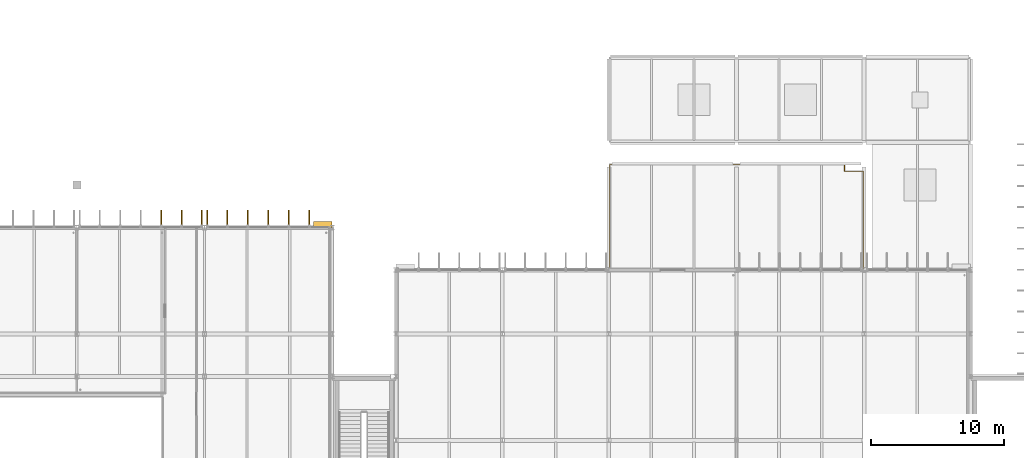
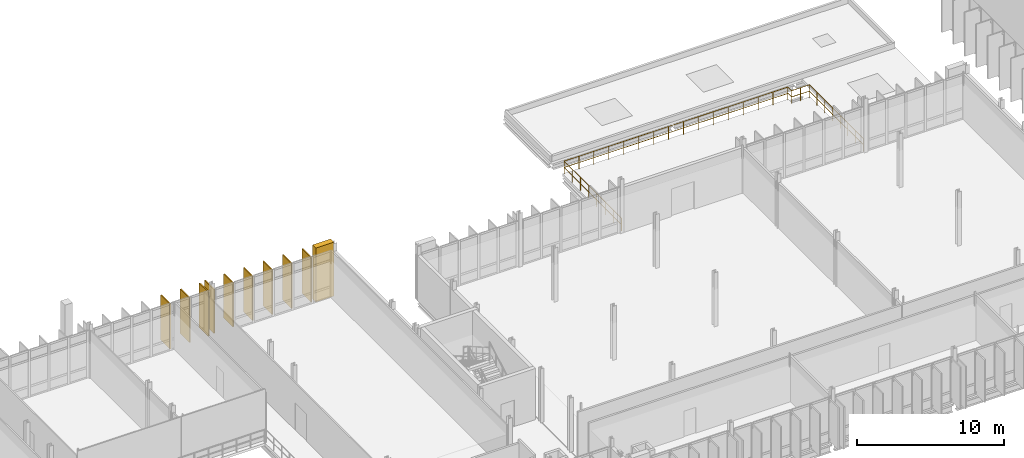
# One storey, part 107 of 110: 10 coverings, 1 railing.
"""IFC4 building model written with IfcOpenShell, lengths in metres."""

from ifc_helpers import new_model, si_unit, direction, frame, origin, origin_2d, place, context, subcontext, project, spatial, rectangle, circle, extrude, material, layer, layer_set, type_object, element, save


model = new_model("IFC4")

# Units and contexts
model_context = context("Model", 3, precision=1e-05, world=origin(), true_north=direction((0.0, 1.0)))
body_context = subcontext(model_context, "Body", "Model", "MODEL_VIEW")
ifc_project = project(units=[si_unit("LENGTHUNIT", "METRE"), si_unit("AREAUNIT", "SQUARE_METRE"), si_unit("VOLUMEUNIT", "CUBIC_METRE"), si_unit("PLANEANGLEUNIT", "RADIAN"), si_unit("MASSUNIT", "GRAM", prefix="KILO")], contexts=[model_context])

# Site, building, storey
site_placement = place(None, origin())
site = spatial("IfcSite", under=ifc_project, at=site_placement, CompositionType="ELEMENT")
building_placement = place(site_placement, origin())
building = spatial("IfcBuilding", under=site, at=building_placement, Name="Dunescarp Central Library", CompositionType="ELEMENT")
storey_placement = place(building_placement, frame((0.0, 0.0, 9.60009765625)))
storey = spatial("IfcBuildingStorey", under=building, at=storey_placement, Name="L02", CompositionType="ELEMENT", Elevation=9.60009765625)

# Coverings
ifc_material_1 = material(Name="Glass-fibre reinforced concrete GRC", Category="concrete")
ifc_layer_1 = layer(ifc_material_1, 0.090087890625)
ifc_layer_set_1 = layer_set([ifc_layer_1], Name="Glass-fibre reinforced concrete GRC")
covering_type_1 = type_object("IfcCoveringType", Name="ARC-COV-FIN1250", PredefinedType="CLADDING", material=ifc_layer_set_1)
covering_1_placement = place(storey_placement, frame((63.94189453125, 37.4619140625, 0.079833984375), z_axis=(0.0, 0.0, 1.0), x_axis=(0.0, 1.0, 0.0)))
element("IfcCovering", 1, at=covering_1_placement, inside=storey, type_object=covering_type_1, Name="L02 parametric vertical facade fin FIN-L02-0415", PredefinedType="CLADDING", context=body_context, shape_type="SweptSolid", body=[
    extrude(rectangle(XDim=1.25, YDim=0.090087890625, at=origin_2d()), origin(), (0.0, 0.0, 1.0), 3.75390625),
])
covering_2_placement = place(storey_placement, frame((65.48291015625, 37.4619140625, 0.079833984375), z_axis=(0.0, 0.0, 1.0), x_axis=(0.0, 1.0, 0.0)))
element("IfcCovering", 2, at=covering_2_placement, inside=storey, type_object=covering_type_1, Name="L02 parametric vertical facade fin FIN-L02-0416", PredefinedType="CLADDING", context=body_context, shape_type="SweptSolid", body=[
    extrude(rectangle(XDim=1.25, YDim=0.090087890625, at=origin_2d()), origin(), (0.0, 0.0, 1.0), 3.7041015625),
])
covering_3_placement = place(storey_placement, frame((66.985107421875, 37.4619140625, 0.079345703125), z_axis=(0.0, 0.0, 1.0), x_axis=(0.0, 1.0, 0.0)))
element("IfcCovering", 3, at=covering_3_placement, inside=storey, type_object=covering_type_1, Name="L02 parametric vertical facade fin FIN-L02-0417", PredefinedType="CLADDING", context=body_context, shape_type="SweptSolid", body=[
    extrude(rectangle(XDim=1.25, YDim=0.090087890625, at=origin_2d()), origin(), (0.0, 0.0, 1.0), 3.6708984375),
])
covering_4_placement = place(storey_placement, frame((67.4150390625, 37.4619140625, 0.1669921875), z_axis=(0.0, 0.0, 1.0), x_axis=(0.0, 1.0, 0.0)))
element("IfcCovering", 4, at=covering_4_placement, inside=storey, type_object=covering_type_1, Name="L02 parametric vertical facade fin FIN-L02-0418", PredefinedType="CLADDING", context=body_context, shape_type="SweptSolid", body=[
    extrude(rectangle(XDim=1.25, YDim=0.090087890625, at=origin_2d()), origin(), (0.0, 0.0, 1.0), 3.677978515625),
])
covering_5_placement = place(storey_placement, frame((68.9169921875, 37.4619140625, 0.180419921875), z_axis=(0.0, 0.0, 1.0), x_axis=(0.0, 1.0, 0.0)))
element("IfcCovering", 5, at=covering_5_placement, inside=storey, type_object=covering_type_1, Name="L02 parametric vertical facade fin FIN-L02-0419", PredefinedType="CLADDING", context=body_context, shape_type="SweptSolid", body=[
    extrude(rectangle(XDim=1.25, YDim=0.090087890625, at=origin_2d()), origin(), (0.0, 0.0, 1.0), 3.6650390625),
])
covering_6_placement = place(storey_placement, frame((70.4580078125, 37.4619140625, 0.16357421875), z_axis=(0.0, 0.0, 1.0), x_axis=(0.0, 1.0, 0.0)))
element("IfcCovering", 6, at=covering_6_placement, inside=storey, type_object=covering_type_1, Name="L02 parametric vertical facade fin FIN-L02-0420", PredefinedType="CLADDING", context=body_context, shape_type="SweptSolid", body=[
    extrude(rectangle(XDim=1.25, YDim=0.090087890625, at=origin_2d()), origin(), (0.0, 0.0, 1.0), 3.680908203125),
])
covering_7_placement = place(storey_placement, frame((72.0, 37.4619140625, 0.123046875), z_axis=(0.0, 0.0, 1.0), x_axis=(0.0, 1.0, 0.0)))
element("IfcCovering", 7, at=covering_7_placement, inside=storey, type_object=covering_type_1, Name="L02 parametric vertical facade fin FIN-L02-0421", PredefinedType="CLADDING", context=body_context, shape_type="SweptSolid", body=[
    extrude(rectangle(XDim=1.25, YDim=0.090087890625, at=origin_2d()), origin(), (0.0, 0.0, 1.0), 3.721923828125),
])
covering_8_placement = place(storey_placement, frame((73.5419921875, 37.4619140625, 0.079833984375), z_axis=(0.0, 0.0, 1.0), x_axis=(0.0, 1.0, 0.0)))
element("IfcCovering", 8, at=covering_8_placement, inside=storey, type_object=covering_type_1, Name="L02 parametric vertical facade fin FIN-L02-0422", PredefinedType="CLADDING", context=body_context, shape_type="SweptSolid", body=[
    extrude(rectangle(XDim=1.25, YDim=0.090087890625, at=origin_2d()), origin(), (0.0, 0.0, 1.0), 3.75390625),
])
covering_9_placement = place(storey_placement, frame((75.0830078125, 37.4619140625, 0.079833984375), z_axis=(0.0, 0.0, 1.0), x_axis=(0.0, 1.0, 0.0)))
element("IfcCovering", 9, at=covering_9_placement, inside=storey, type_object=covering_type_1, Name="L02 parametric vertical facade fin FIN-L02-0423", PredefinedType="CLADDING", context=body_context, shape_type="SweptSolid", body=[
    extrude(rectangle(XDim=1.25, YDim=0.090087890625, at=origin_2d()), origin(), (0.0, 0.0, 1.0), 3.7041015625),
])
ifc_layer_2 = layer(ifc_material_1, 0.449951171875)
ifc_layer_set_2 = layer_set([ifc_layer_2], Name="Glass-fibre reinforced concrete GRC")
covering_type_2 = type_object("IfcCoveringType", Name="ARC-COV-PORTAL", PredefinedType="CLADDING", material=ifc_layer_set_2)
covering_10_placement = place(storey_placement, frame((76.10009765625, 37.02001953125, 0.0), z_axis=(0.0, 0.0, 1.0), x_axis=(1.0, 0.0, 0.0)))
element("IfcCovering", 10, at=covering_10_placement, inside=storey, type_object=covering_type_2, Name="V2 sculpted GRC portal pier PRT-BAND-V2-012", PredefinedType="CLADDING", context=body_context, shape_type="SweptSolid", body=[
    extrude(rectangle(XDim=1.39990234375, YDim=0.449951171875, at=origin_2d()), origin(), (0.0, 0.0, 1.0), 4.5),
])

# Railing
ifc_material_2 = material(Name="Stainless steel Grade 316L", Category="steel")
railing_type = type_object("IfcRailingType", Name="ARC-RL-BAL", PredefinedType="BALUSTRADE", material=ifc_material_2)
railing_placement = place(storey_placement, frame((97.679931640625, 33.679931640625, 0.0)))
element("IfcRailing", 11, at=railing_placement, inside=storey, type_object=railing_type, Name="L02 terrace balustrade TER-L02-V3D", PredefinedType="BALUSTRADE", context=body_context, shape_type="SweptSolid", body=[
    extrude(circle(Radius=0.02392578125, at=origin_2d()), frame((0.0, 0.0, 1.076171875), z_axis=(0.0, 1.0, 0.0), x_axis=(-1.0, 0.0, 0.0)), (0.0, 0.0, 1.0), 7.840087890625),
    extrude(circle(Radius=0.02392578125, at=origin_2d()), frame((0.0, 0.0, 0.550048828125), z_axis=(0.0, 1.0, 0.0), x_axis=(-1.0, 0.0, 0.0)), (0.0, 0.0, 1.0), 7.840087890625),
    extrude(circle(Radius=0.02392578125, at=origin_2d()), frame((0.0, 7.840087890625, 1.076171875), z_axis=(1.0, 0.0, 0.0), x_axis=(0.0, 1.0, 0.0)), (0.0, 0.0, 1.0), 17.64013671875),
    extrude(circle(Radius=0.02392578125, at=origin_2d()), frame((0.0, 7.840087890625, 0.550048828125), z_axis=(1.0, 0.0, 0.0), x_axis=(0.0, 1.0, 0.0)), (0.0, 0.0, 1.0), 17.64013671875),
    extrude(circle(Radius=0.02392578125, at=origin_2d()), frame((17.64013671875, 7.840087890625, 1.076171875), z_axis=(0.0, -1.0, 0.0), x_axis=(1.0, 0.0, 0.0)), (0.0, 0.0, 1.0), 0.5),
    extrude(circle(Radius=0.02392578125, at=origin_2d()), frame((17.64013671875, 7.840087890625, 0.550048828125), z_axis=(0.0, -1.0, 0.0), x_axis=(1.0, 0.0, 0.0)), (0.0, 0.0, 1.0), 0.5),
    extrude(circle(Radius=0.02392578125, at=origin_2d()), frame((17.64013671875, 7.340087890625, 1.076171875), z_axis=(1.0, 0.0, 0.0), x_axis=(0.0, 1.0, 0.0)), (0.0, 0.0, 1.0), 1.39990234375),
    extrude(circle(Radius=0.02392578125, at=origin_2d()), frame((17.64013671875, 7.340087890625, 0.550048828125), z_axis=(1.0, 0.0, 0.0), x_axis=(0.0, 1.0, 0.0)), (0.0, 0.0, 1.0), 1.39990234375),
    extrude(circle(Radius=0.02392578125, at=origin_2d()), frame((19.0400390625, 7.340087890625, 1.076171875), z_axis=(0.0, -1.0, 0.0), x_axis=(1.0, 0.0, 0.0)), (0.0, 0.0, 1.0), 7.340087890625),
    extrude(circle(Radius=0.02392578125, at=origin_2d()), frame((19.0400390625, 7.340087890625, 0.550048828125), z_axis=(0.0, -1.0, 0.0), x_axis=(1.0, 0.0, 0.0)), (0.0, 0.0, 1.0), 7.340087890625),
    extrude(circle(Radius=0.02099609375, at=origin_2d()), origin(), (0.0, 0.0, 1.0), 1.052001953125),
    extrude(circle(Radius=0.02099609375, at=origin_2d()), frame((0.0, 1.1201171875, 0.0)), (0.0, 0.0, 1.0), 1.052001953125),
    extrude(circle(Radius=0.02099609375, at=origin_2d()), frame((0.0, 2.239990234375, 0.0)), (0.0, 0.0, 1.0), 1.052001953125),
    extrude(circle(Radius=0.02099609375, at=origin_2d()), frame((0.0, 3.360107421875, 0.0)), (0.0, 0.0, 1.0), 1.052001953125),
    extrude(circle(Radius=0.02099609375, at=origin_2d()), frame((0.0, 4.47998046875, 0.0)), (0.0, 0.0, 1.0), 1.052001953125),
    extrude(circle(Radius=0.02099609375, at=origin_2d()), frame((0.0, 5.60009765625, 0.0)), (0.0, 0.0, 1.0), 1.052001953125),
    extrude(circle(Radius=0.02099609375, at=origin_2d()), frame((0.0, 6.719970703125, 0.0)), (0.0, 0.0, 1.0), 1.052001953125),
    extrude(circle(Radius=0.02099609375, at=origin_2d()), frame((0.0, 7.840087890625, 0.0)), (0.0, 0.0, 1.0), 1.052001953125),
    extrude(circle(Radius=0.02099609375, at=origin_2d()), frame((1.176025390625, 7.840087890625, 0.0)), (0.0, 0.0, 1.0), 1.052001953125),
    extrude(circle(Radius=0.02099609375, at=origin_2d()), frame((2.35205078125, 7.840087890625, 0.0)), (0.0, 0.0, 1.0), 1.052001953125),
    extrude(circle(Radius=0.02099609375, at=origin_2d()), frame((3.528076171875, 7.840087890625, 0.0)), (0.0, 0.0, 1.0), 1.052001953125),
    extrude(circle(Radius=0.02099609375, at=origin_2d()), frame((4.7041015625, 7.840087890625, 0.0)), (0.0, 0.0, 1.0), 1.052001953125),
    extrude(circle(Radius=0.02099609375, at=origin_2d()), frame((5.880126953125, 7.840087890625, 0.0)), (0.0, 0.0, 1.0), 1.052001953125),
    extrude(circle(Radius=0.02099609375, at=origin_2d()), frame((7.05615234375, 7.840087890625, 0.0)), (0.0, 0.0, 1.0), 1.052001953125),
    extrude(circle(Radius=0.02099609375, at=origin_2d()), frame((8.232177734375, 7.840087890625, 0.0)), (0.0, 0.0, 1.0), 1.052001953125),
    extrude(circle(Radius=0.02099609375, at=origin_2d()), frame((9.407958984375, 7.840087890625, 0.0)), (0.0, 0.0, 1.0), 1.052001953125),
    extrude(circle(Radius=0.02099609375, at=origin_2d()), frame((10.583984375, 7.840087890625, 0.0)), (0.0, 0.0, 1.0), 1.052001953125),
    extrude(circle(Radius=0.02099609375, at=origin_2d()), frame((11.760009765625, 7.840087890625, 0.0)), (0.0, 0.0, 1.0), 1.052001953125),
    extrude(circle(Radius=0.02099609375, at=origin_2d()), frame((12.93603515625, 7.840087890625, 0.0)), (0.0, 0.0, 1.0), 1.052001953125),
    extrude(circle(Radius=0.02099609375, at=origin_2d()), frame((14.112060546875, 7.840087890625, 0.0)), (0.0, 0.0, 1.0), 1.052001953125),
    extrude(circle(Radius=0.02099609375, at=origin_2d()), frame((15.2880859375, 7.840087890625, 0.0)), (0.0, 0.0, 1.0), 1.052001953125),
    extrude(circle(Radius=0.02099609375, at=origin_2d()), frame((16.464111328125, 7.840087890625, 0.0)), (0.0, 0.0, 1.0), 1.052001953125),
    extrude(circle(Radius=0.02099609375, at=origin_2d()), frame((17.64013671875, 7.840087890625, 0.0)), (0.0, 0.0, 1.0), 1.052001953125),
    extrude(circle(Radius=0.02099609375, at=origin_2d()), frame((17.64013671875, 7.340087890625, 0.0)), (0.0, 0.0, 1.0), 1.052001953125),
    extrude(circle(Radius=0.02099609375, at=origin_2d()), frame((18.340087890625, 7.340087890625, 0.0)), (0.0, 0.0, 1.0), 1.052001953125),
    extrude(circle(Radius=0.02099609375, at=origin_2d()), frame((19.0400390625, 7.340087890625, 0.0)), (0.0, 0.0, 1.0), 1.052001953125),
    extrude(circle(Radius=0.02099609375, at=origin_2d()), frame((19.0400390625, 6.29150390625, 0.0)), (0.0, 0.0, 1.0), 1.052001953125),
    extrude(circle(Radius=0.02099609375, at=origin_2d()), frame((19.0400390625, 5.242919921875, 0.0)), (0.0, 0.0, 1.0), 1.052001953125),
    extrude(circle(Radius=0.02099609375, at=origin_2d()), frame((19.0400390625, 4.1943359375, 0.0)), (0.0, 0.0, 1.0), 1.052001953125),
    extrude(circle(Radius=0.02099609375, at=origin_2d()), frame((19.0400390625, 3.145751953125, 0.0)), (0.0, 0.0, 1.0), 1.052001953125),
    extrude(circle(Radius=0.02099609375, at=origin_2d()), frame((19.0400390625, 2.09716796875, 0.0)), (0.0, 0.0, 1.0), 1.052001953125),
    extrude(circle(Radius=0.02099609375, at=origin_2d()), frame((19.0400390625, 1.048583984375, 0.0)), (0.0, 0.0, 1.0), 1.052001953125),
    extrude(circle(Radius=0.02099609375, at=origin_2d()), frame((19.0400390625, 0.0, 0.0)), (0.0, 0.0, 1.0), 1.052001953125),
])

save(model, "model.ifc")
